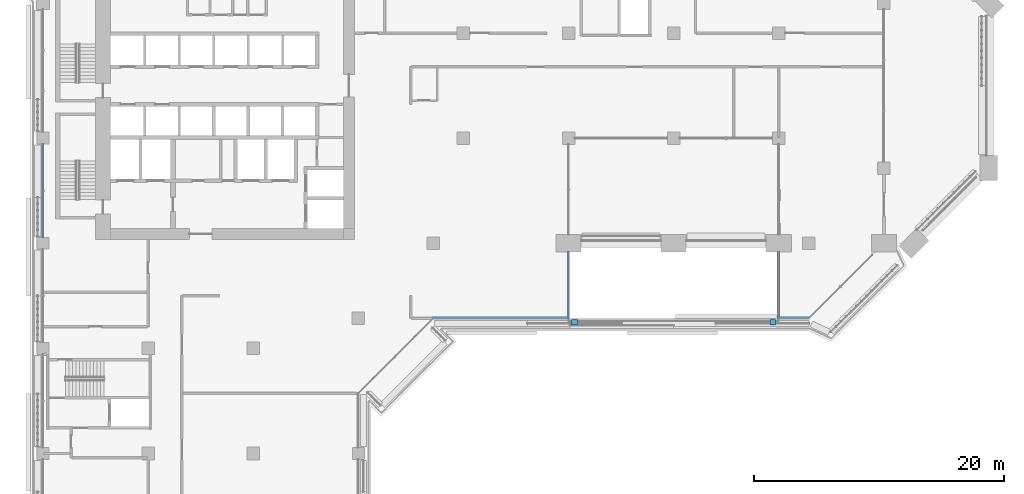
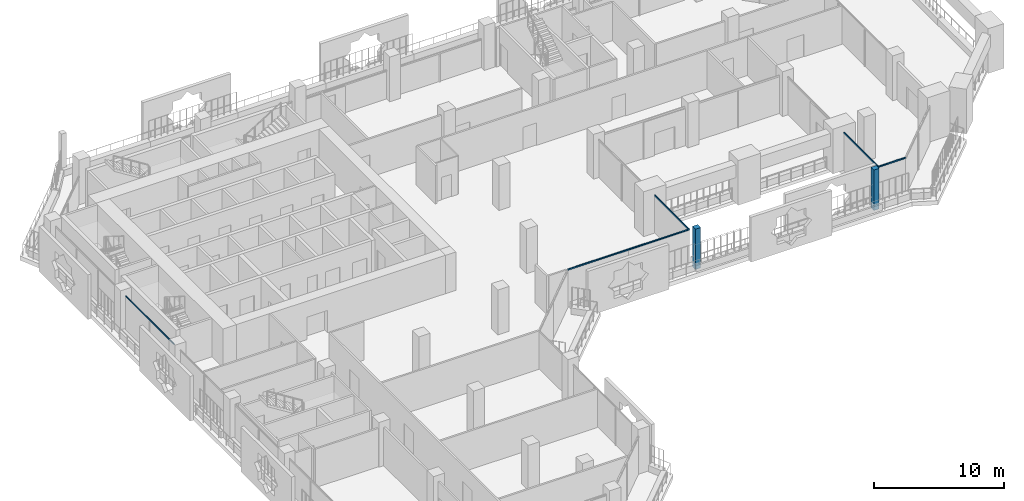
# One storey, part 4 of 23: 8 members, 6 elements without a shape of their own.
"""IFC4 building model written with IfcOpenShell, lengths in metres."""

from ifc_helpers import new_model, si_unit, direction, frame, origin, origin_2d, place, context, subcontext, project, spatial, rectangle, extrude, material, layer, layer_set, material_profile, profile_set, type_object, element, aggregate, save


model = new_model("IFC4")

# Units and contexts
model_context = context("Model", 3, precision=1e-05, world=origin(), true_north=direction((0.0, 1.0)))
body_context = subcontext(model_context, "Body", "Model", "MODEL_VIEW")
ifc_project = project(units=[si_unit("LENGTHUNIT", "METRE"), si_unit("AREAUNIT", "SQUARE_METRE"), si_unit("VOLUMEUNIT", "CUBIC_METRE"), si_unit("PLANEANGLEUNIT", "RADIAN"), si_unit("MASSUNIT", "GRAM", prefix="KILO")], contexts=[model_context])

# Site, building, storey
site_placement = place(None, origin())
site = spatial("IfcSite", under=ifc_project, at=site_placement, CompositionType="ELEMENT")
building_placement = place(site_placement, origin())
building = spatial("IfcBuilding", under=site, at=building_placement, Name="Kawkab Arch Medical Tower", CompositionType="ELEMENT")
storey_placement = place(building_placement, frame((0.0, 0.0, 158.39990234375)))
storey = spatial("IfcBuildingStorey", under=building, at=storey_placement, Name="L36", CompositionType="ELEMENT", Elevation=158.39990234375)

# Curtain wall, members
ifc_material_1 = material(Name="Bronze anodised aluminium curtain wall frame", Category="aluminium")
ifc_layer_1 = layer(ifc_material_1, 0.159912109375)
ifc_layer_set_1 = layer_set([ifc_layer_1], Name="Bronze anodised aluminium curtain wall frame")
curtain_wall_type_1 = type_object("IfcCurtainWallType", Name="CW1 ward curtain wall", PredefinedType="NOTDEFINED", material=ifc_layer_set_1)
placement = place(storey_placement, origin())
curtain_wall_1 = element("IfcCurtainWall", 1, at=placement, inside=storey, type_object=curtain_wall_type_1, Name="CW1 Ward curtain wall R01", PredefinedType="NOTDEFINED")
ifc_material_2 = material(Name="Bronze anodised aluminium curtain wall frame", Category="aluminium")
ifc_material_profile_1 = material_profile(ifc_material_2, rectangle(XDim=0.06005859375, YDim=0.1201171875, at=origin_2d()), Name="AL 60x120")
ifc_profile_set_1 = profile_set([ifc_material_profile_1], Name="Bronze anodised aluminium curtain wall frame")
member_type_1 = type_object("IfcMemberType", Name="CW1 transom 120 x 60", PredefinedType="USERDEFINED", material=ifc_profile_set_1)
member_1_placement = place(storey_placement, frame((31.199951171875, -31.199951171875, 3.5400390625), z_axis=(1.0, 0.0, 0.0), x_axis=(0.0, 1.0, 0.0)))
member_1 = element("IfcMember", 2, at=member_1_placement, type_object=member_type_1, Name="CW1 transom 1", ObjectType="TRANSOM", PredefinedType="USERDEFINED", context=body_context, shape_type="SweptSolid", body=[
    extrude(rectangle(XDim=0.06005859375, YDim=0.1201171875, at=origin_2d()), origin(), (0.0, 0.0, 1.0), 5.400146484375),
])
member_2_placement = place(storey_placement, frame((36.60009765625, -31.199951171875, 3.5400390625), z_axis=(1.0, 0.0, 0.0), x_axis=(0.0, 1.0, 0.0)))
member_2 = element("IfcMember", 3, at=member_2_placement, type_object=member_type_1, Name="CW1 transom 2", ObjectType="TRANSOM", PredefinedType="USERDEFINED", context=body_context, shape_type="SweptSolid", body=[
    extrude(rectangle(XDim=0.06005859375, YDim=0.1201171875, at=origin_2d()), origin(), (0.0, 0.0, 1.0), 5.39990234375),
])
aggregate(curtain_wall_1, [member_1, member_2])

# Curtain wall, member
curtain_wall_2 = element("IfcCurtainWall", 4, at=placement, inside=storey, type_object=curtain_wall_type_1, Name="CW1 Ward curtain wall R05", PredefinedType="NOTDEFINED")
member_3_placement = place(storey_placement, frame((58.800048828125, -31.199951171875, 3.5400390625), z_axis=(1.0, 0.0, 0.0), x_axis=(0.0, 1.0, 0.0)))
member_3 = element("IfcMember", 5, at=member_3_placement, type_object=member_type_1, Name="CW1 transom 1", ObjectType="TRANSOM", PredefinedType="USERDEFINED", context=body_context, shape_type="SweptSolid", body=[
    extrude(rectangle(XDim=0.06005859375, YDim=0.1201171875, at=origin_2d()), origin(), (0.0, 0.0, 1.0), 2.39990234375),
])
aggregate(curtain_wall_2, [member_3])

curtain_wall_3 = element("IfcCurtainWall", 6, at=placement, inside=storey, type_object=curtain_wall_type_1, Name="CW1 Ward curtain wall R11", PredefinedType="NOTDEFINED")
member_4_placement = place(storey_placement, frame((0.0, -17.27490234375, 3.5400390625), z_axis=(0.0, -1.0, 0.0), x_axis=(1.0, 0.0, 0.0)))
member_4 = element("IfcMember", 7, at=member_4_placement, type_object=member_type_1, Name="CW1 transom 2", ObjectType="TRANSOM", PredefinedType="USERDEFINED", context=body_context, shape_type="SweptSolid", body=[
    extrude(rectangle(XDim=0.06005859375, YDim=0.1201171875, at=origin_2d()), origin(), (0.0, 0.0, 1.0), 7.4501953125),
])
aggregate(curtain_wall_3, [member_4])

ifc_material_3 = material(Name="Bronze anodised aluminium curtain wall frame", Category="aluminium")
ifc_layer_2 = layer(ifc_material_3, 0.159912109375)
ifc_layer_set_2 = layer_set([ifc_layer_2], Name="Bronze anodised aluminium curtain wall frame")
curtain_wall_type_2 = type_object("IfcCurtainWallType", Name="CW3 sky garden curtain wall", PredefinedType="NOTDEFINED", material=ifc_layer_set_2)
curtain_wall_4 = element("IfcCurtainWall", 8, at=placement, inside=storey, type_object=curtain_wall_type_2, Name="CW3 Sky garden curtain wall R02", PredefinedType="NOTDEFINED")
ifc_material_4 = material(Name="Bronze anodised aluminium curtain wall frame", Category="aluminium")
ifc_material_profile_2 = material_profile(ifc_material_4, rectangle(XDim=0.070068359375, YDim=0.139892578125, at=origin_2d()), Name="AL 70x140")
ifc_profile_set_2 = profile_set([ifc_material_profile_2], Name="Bronze anodised aluminium curtain wall frame")
member_type_2 = type_object("IfcMemberType", Name="CW3 transom 140 x 70", PredefinedType="USERDEFINED", material=ifc_profile_set_2)
member_5_placement = place(storey_placement, frame((42.0, -31.199951171875, 3.530029296875), z_axis=(0.0, 1.0, 0.0), x_axis=(-1.0, 0.0, 0.0)))
member_5 = element("IfcMember", 9, at=member_5_placement, type_object=member_type_2, Name="CW3 transom 1", ObjectType="TRANSOM", PredefinedType="USERDEFINED", context=body_context, shape_type="SweptSolid", body=[
    extrude(rectangle(XDim=0.070068359375, YDim=0.139892578125, at=origin_2d()), origin(), (0.0, 0.0, 1.0), 5.300048828125),
])
aggregate(curtain_wall_4, [member_5])

curtain_wall_5 = element("IfcCurtainWall", 10, at=placement, inside=storey, type_object=curtain_wall_type_2, Name="CW3 Sky garden curtain wall R04", PredefinedType="NOTDEFINED")
member_6_placement = place(storey_placement, frame((58.800048828125, -25.89990234375, 3.530029296875), z_axis=(0.0, -1.0, 0.0), x_axis=(1.0, 0.0, 0.0)))
member_6 = element("IfcMember", 11, at=member_6_placement, type_object=member_type_2, Name="CW3 transom 2", ObjectType="TRANSOM", PredefinedType="USERDEFINED", context=body_context, shape_type="SweptSolid", body=[
    extrude(rectangle(XDim=0.070068359375, YDim=0.139892578125, at=origin_2d()), origin(), (0.0, 0.0, 1.0), 5.300048828125),
])
aggregate(curtain_wall_5, [member_6])

# Curtain wall, members
ifc_material_5 = material(Name="Bronze anodised aluminium climber frame, planted", Category="aluminium")
ifc_layer_3 = layer(ifc_material_5, 0.449951171875)
ifc_layer_set_3 = layer_set([ifc_layer_3], Name="Bronze anodised aluminium climber frame, planted")
curtain_wall_type_3 = type_object("IfcCurtainWallType", Name="Planted climber frame", PredefinedType="NOTDEFINED", material=ifc_layer_set_3)
curtain_wall_6 = element("IfcCurtainWall", 12, at=placement, inside=storey, type_object=curtain_wall_type_3, Name="Planted climber frame L36", PredefinedType="NOTDEFINED")
ifc_material_6 = material(Name="Bronze anodised aluminium climber frame, planted", Category="aluminium")
ifc_material_profile_3 = material_profile(ifc_material_6, rectangle(XDim=0.449951171875, YDim=0.449951171875, at=origin_2d()), Name="Post 450x450")
ifc_profile_set_3 = profile_set([ifc_material_profile_3], Name="Bronze anodised aluminium climber frame, planted")
member_type_3 = type_object("IfcMemberType", Name="Planted climber post 450 x 450", PredefinedType="MULLION", material=ifc_profile_set_3)
member_7_placement = place(storey_placement, frame((42.47998046875, -31.5, 0.0), z_axis=(0.0, 0.0, 1.0), x_axis=(1.0, 0.0, 0.0)))
member_7 = element("IfcMember", 13, at=member_7_placement, type_object=member_type_3, Name="Planted climber post L36.LOG-01-01.1", PredefinedType="MULLION", context=body_context, shape_type="SweptSolid", body=[
    extrude(rectangle(XDim=0.449951171875, YDim=0.449951171875, at=origin_2d()), origin(), (0.0, 0.0, 1.0), 3.800048828125),
])
member_8_placement = place(storey_placement, frame((58.320068359375, -31.5, 0.0), z_axis=(0.0, 0.0, 1.0), x_axis=(1.0, 0.0, 0.0)))
member_8 = element("IfcMember", 14, at=member_8_placement, type_object=member_type_3, Name="Planted climber post L36.LOG-01-01.2", PredefinedType="MULLION", context=body_context, shape_type="SweptSolid", body=[
    extrude(rectangle(XDim=0.449951171875, YDim=0.449951171875, at=origin_2d()), origin(), (0.0, 0.0, 1.0), 3.800048828125),
])
aggregate(curtain_wall_6, [member_7, member_8])

save(model, "model.ifc")
